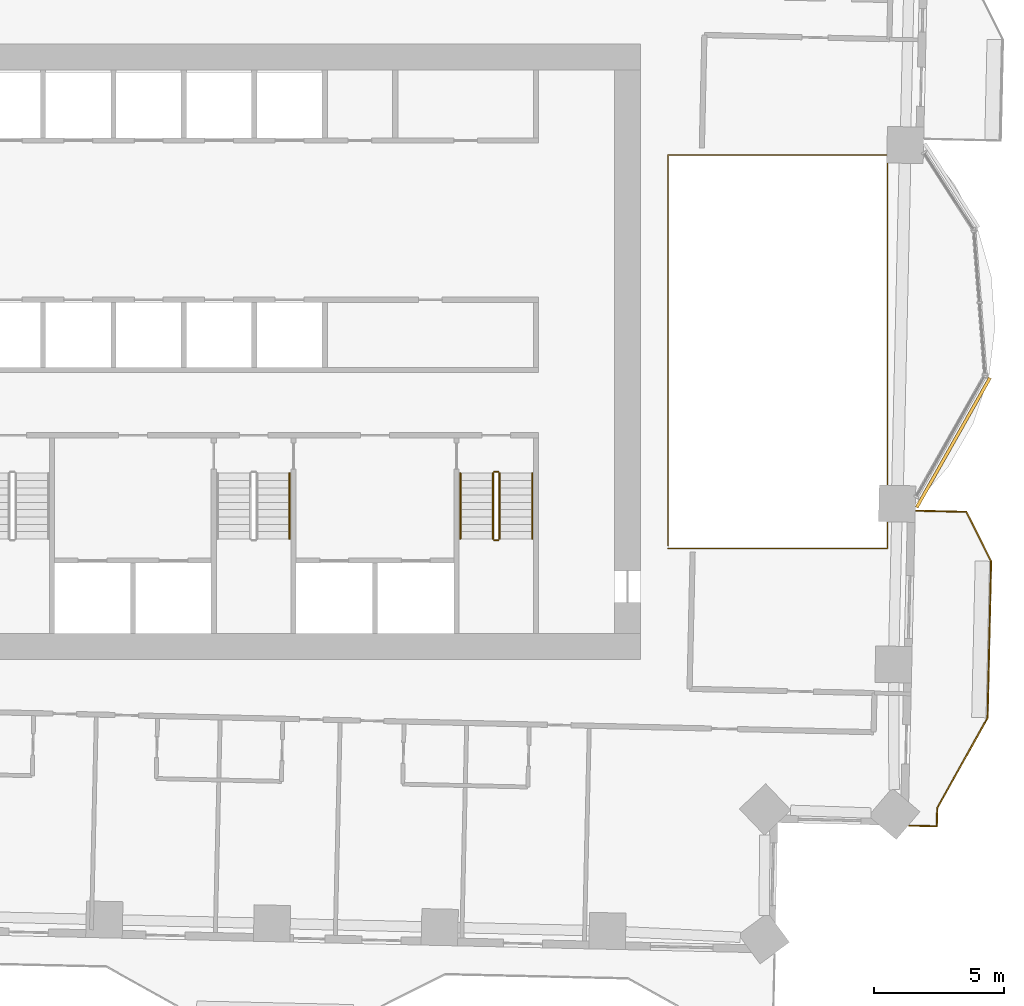
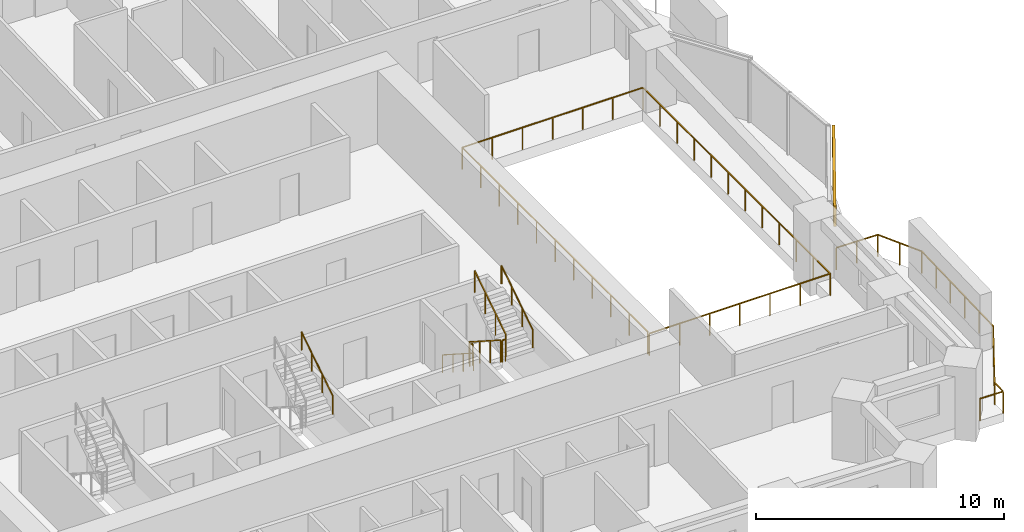
# One storey, part 15 of 16: 9 railings, 1 covering.
"""IFC4 building model written with IfcOpenShell, lengths in metres."""

from ifc_helpers import new_model, si_unit, direction, frame, frame_2d, origin, origin_2d, place, context, subcontext, project, spatial, rectangle, circle, extrude, material, layer, layer_set, type_object, element, save


model = new_model("IFC4")

# Units and contexts
model_context = context("Model", 3, precision=1e-05, world=origin(), true_north=direction((0.0, 1.0)))
body_context = subcontext(model_context, "Body", "Model", "MODEL_VIEW")
ifc_project = project(units=[si_unit("LENGTHUNIT", "METRE"), si_unit("AREAUNIT", "SQUARE_METRE"), si_unit("VOLUMEUNIT", "CUBIC_METRE"), si_unit("PLANEANGLEUNIT", "RADIAN"), si_unit("MASSUNIT", "GRAM", prefix="KILO")], contexts=[model_context])

# Site, building, storey
site_placement = place(None, origin())
site = spatial("IfcSite", under=ifc_project, at=site_placement, CompositionType="ELEMENT")
building_placement = place(site_placement, origin())
building = spatial("IfcBuilding", under=site, at=building_placement, Name="Mangrove Gate Tower", CompositionType="ELEMENT")
storey_placement = place(building_placement, frame((0.0, 0.0, 109.10009765625)))
storey = spatial("IfcBuildingStorey", under=building, at=storey_placement, Name="L27", CompositionType="ELEMENT", Elevation=109.10009765625)

# Railings
ifc_material_1 = material(Name="Stainless steel grade 316 with laminated glass infill", Category="steel")
railing_type_1 = type_object("IfcRailingType", Name="Balcony guard 1100", PredefinedType="GUARDRAIL", material=ifc_material_1)
railing_1_placement = place(storey_placement, frame((25.10107421875, -18.160888671875, 0.0)))
element("IfcRailing", 1, at=railing_1_placement, inside=storey, type_object=railing_type_1, Name="GUARD L27 E1", PredefinedType="GUARDRAIL", context=body_context, shape_type="SweptSolid", body=[
    extrude(rectangle(XDim=0.048095703125, YDim=0.048095703125, at=origin_2d()), frame((0.0, 0.0, 1.076171875), z_axis=(0.999740049023, -0.022799876723, 0.0), x_axis=(0.022799876723, 0.999740049023, 0.0)), (0.0, 0.0, 1.0), 1.06005859375),
    extrude(rectangle(XDim=0.048095703125, YDim=0.048095703125, at=origin_2d()), frame((1.059814453125, -0.024169921875, 1.076171875), z_axis=(0.023014481582, 0.999735131741, 0.0), x_axis=(-0.999735131741, 0.023014481582, 0.0)), (0.0, 0.0, 1.0), 0.7001953125),
    extrude(rectangle(XDim=0.048095703125, YDim=0.048095703125, at=origin_2d()), frame((1.075927734375, 0.67578125, 1.076171875), z_axis=(0.48726008209, 0.87325689943, 0.0), x_axis=(-0.87325689943, 0.48726008209, 0.0)), (0.0, 0.0, 1.0), 3.958740234375),
    extrude(rectangle(XDim=0.048095703125, YDim=0.048095703125, at=origin_2d()), frame((3.0048828125, 4.1328125, 1.076171875), z_axis=(0.022662255828, 0.999743178102, 0.0), x_axis=(-0.999743178102, 0.022662255828, 0.0)), (0.0, 0.0, 1.0), 6.00048828125),
    extrude(rectangle(XDim=0.048095703125, YDim=0.048095703125, at=origin_2d()), frame((3.140869140625, 10.1318359375, 1.076171875), z_axis=(-0.4472135955, 0.894427191, 0.0), x_axis=(-0.894427191, -0.4472135955, 0.0)), (0.0, 0.0, 1.0), 2.119873046875),
    extrude(rectangle(XDim=0.048095703125, YDim=0.048095703125, at=origin_2d()), frame((2.19287109375, 12.02783203125, 1.076171875), z_axis=(-0.999737880615, 0.022894760625, 0.0), x_axis=(-0.022894760625, -0.999737880615, 0.0)), (0.0, 0.0, 1.0), 1.91943359375),
    extrude(rectangle(XDim=0.0419921875, YDim=0.0419921875, at=origin_2d()), origin(), (0.0, 0.0, 1.0), 1.052001953125),
    extrude(rectangle(XDim=0.0419921875, YDim=0.0419921875, at=origin_2d()), frame((1.059814453125, -0.024169921875, 0.0)), (0.0, 0.0, 1.0), 1.052001953125),
    extrude(rectangle(XDim=0.0419921875, YDim=0.0419921875, at=origin_2d()), frame((1.075927734375, 0.67578125, 0.0)), (0.0, 0.0, 1.0), 1.052001953125),
    extrude(rectangle(XDim=0.0419921875, YDim=0.0419921875, at=origin_2d()), frame((1.718994140625, 1.828125, 0.0)), (0.0, 0.0, 1.0), 1.052001953125),
    extrude(rectangle(XDim=0.0419921875, YDim=0.0419921875, at=origin_2d()), frame((2.36181640625, 2.98046875, 0.0)), (0.0, 0.0, 1.0), 1.052001953125),
    extrude(rectangle(XDim=0.0419921875, YDim=0.0419921875, at=origin_2d()), frame((3.0048828125, 4.1328125, 0.0)), (0.0, 0.0, 1.0), 1.052001953125),
    extrude(rectangle(XDim=0.0419921875, YDim=0.0419921875, at=origin_2d()), frame((3.031982421875, 5.33251953125, 0.0)), (0.0, 0.0, 1.0), 1.052001953125),
    extrude(rectangle(XDim=0.0419921875, YDim=0.0419921875, at=origin_2d()), frame((3.059326171875, 6.532470703125, 0.0)), (0.0, 0.0, 1.0), 1.052001953125),
    extrude(rectangle(XDim=0.0419921875, YDim=0.0419921875, at=origin_2d()), frame((3.08642578125, 7.732177734375, 0.0)), (0.0, 0.0, 1.0), 1.052001953125),
    extrude(rectangle(XDim=0.0419921875, YDim=0.0419921875, at=origin_2d()), frame((3.11376953125, 8.93212890625, 0.0)), (0.0, 0.0, 1.0), 1.052001953125),
    extrude(rectangle(XDim=0.0419921875, YDim=0.0419921875, at=origin_2d()), frame((3.140869140625, 10.1318359375, 0.0)), (0.0, 0.0, 1.0), 1.052001953125),
    extrude(rectangle(XDim=0.0419921875, YDim=0.0419921875, at=origin_2d()), frame((2.6669921875, 11.079833984375, 0.0)), (0.0, 0.0, 1.0), 1.052001953125),
    extrude(rectangle(XDim=0.0419921875, YDim=0.0419921875, at=origin_2d()), frame((2.19287109375, 12.02783203125, 0.0)), (0.0, 0.0, 1.0), 1.052001953125),
    extrude(rectangle(XDim=0.0419921875, YDim=0.0419921875, at=origin_2d()), frame((1.2333984375, 12.0498046875, 0.0)), (0.0, 0.0, 1.0), 1.052001953125),
    extrude(rectangle(XDim=0.0419921875, YDim=0.0419921875, at=origin_2d()), frame((0.27392578125, 12.07177734375, 0.0)), (0.0, 0.0, 1.0), 1.052001953125),
])
railing_2_placement = place(storey_placement, frame((15.860107421875, -7.5400390625, 0.0)))
element("IfcRailing", 2, at=railing_2_placement, inside=storey, type_object=railing_type_1, Name="GUARD L27 atrium", PredefinedType="GUARDRAIL", context=body_context, shape_type="SweptSolid", body=[
    extrude(rectangle(XDim=0.048095703125, YDim=0.048095703125, at=origin_2d()), frame((0.0, 0.0, 1.076171875), z_axis=(1.0, 0.0, 0.0), x_axis=(0.0, 1.0, 0.0)), (0.0, 0.0, 1.0), 8.406982421875),
    extrude(rectangle(XDim=0.048095703125, YDim=0.048095703125, at=origin_2d()), frame((8.406982421875, 0.0, 1.076171875), z_axis=(0.0, 1.0, 0.0), x_axis=(-1.0, 0.0, 0.0)), (0.0, 0.0, 1.0), 15.080078125),
    extrude(rectangle(XDim=0.048095703125, YDim=0.048095703125, at=origin_2d()), frame((8.406982421875, 15.080078125, 1.076171875), z_axis=(-1.0, 0.0, 0.0), x_axis=(0.0, -1.0, 0.0)), (0.0, 0.0, 1.0), 8.406982421875),
    extrude(rectangle(XDim=0.048095703125, YDim=0.048095703125, at=origin_2d()), frame((0.0, 15.080078125, 1.076171875), z_axis=(0.0, -1.0, 0.0), x_axis=(1.0, 0.0, 0.0)), (0.0, 0.0, 1.0), 14.9599609375),
    extrude(rectangle(XDim=0.0419921875, YDim=0.0419921875, at=origin_2d()), origin(), (0.0, 0.0, 1.0), 1.052001953125),
    extrude(rectangle(XDim=0.0419921875, YDim=0.0419921875, at=origin_2d()), frame((1.401123046875, 0.0, 0.0)), (0.0, 0.0, 1.0), 1.052001953125),
    extrude(rectangle(XDim=0.0419921875, YDim=0.0419921875, at=origin_2d()), frame((2.80224609375, 0.0, 0.0)), (0.0, 0.0, 1.0), 1.052001953125),
    extrude(rectangle(XDim=0.0419921875, YDim=0.0419921875, at=origin_2d()), frame((4.20361328125, 0.0, 0.0)), (0.0, 0.0, 1.0), 1.052001953125),
    extrude(rectangle(XDim=0.0419921875, YDim=0.0419921875, at=origin_2d()), frame((5.604736328125, 0.0, 0.0)), (0.0, 0.0, 1.0), 1.052001953125),
    extrude(rectangle(XDim=0.0419921875, YDim=0.0419921875, at=origin_2d()), frame((7.005859375, 0.0, 0.0)), (0.0, 0.0, 1.0), 1.052001953125),
    extrude(rectangle(XDim=0.0419921875, YDim=0.0419921875, at=origin_2d()), frame((8.406982421875, 0.0, 0.0)), (0.0, 0.0, 1.0), 1.052001953125),
    extrude(rectangle(XDim=0.0419921875, YDim=0.0419921875, at=origin_2d()), frame((8.406982421875, 1.370849609375, 0.0)), (0.0, 0.0, 1.0), 1.052001953125),
    extrude(rectangle(XDim=0.0419921875, YDim=0.0419921875, at=origin_2d()), frame((8.406982421875, 2.741943359375, 0.0)), (0.0, 0.0, 1.0), 1.052001953125),
    extrude(rectangle(XDim=0.0419921875, YDim=0.0419921875, at=origin_2d()), frame((8.406982421875, 4.11279296875, 0.0)), (0.0, 0.0, 1.0), 1.052001953125),
    extrude(rectangle(XDim=0.0419921875, YDim=0.0419921875, at=origin_2d()), frame((8.406982421875, 5.483642578125, 0.0)), (0.0, 0.0, 1.0), 1.052001953125),
    extrude(rectangle(XDim=0.0419921875, YDim=0.0419921875, at=origin_2d()), frame((8.406982421875, 6.8544921875, 0.0)), (0.0, 0.0, 1.0), 1.052001953125),
    extrude(rectangle(XDim=0.0419921875, YDim=0.0419921875, at=origin_2d()), frame((8.406982421875, 8.2255859375, 0.0)), (0.0, 0.0, 1.0), 1.052001953125),
    extrude(rectangle(XDim=0.0419921875, YDim=0.0419921875, at=origin_2d()), frame((8.406982421875, 9.596435546875, 0.0)), (0.0, 0.0, 1.0), 1.052001953125),
    extrude(rectangle(XDim=0.0419921875, YDim=0.0419921875, at=origin_2d()), frame((8.406982421875, 10.96728515625, 0.0)), (0.0, 0.0, 1.0), 1.052001953125),
    extrude(rectangle(XDim=0.0419921875, YDim=0.0419921875, at=origin_2d()), frame((8.406982421875, 12.338134765625, 0.0)), (0.0, 0.0, 1.0), 1.052001953125),
    extrude(rectangle(XDim=0.0419921875, YDim=0.0419921875, at=origin_2d()), frame((8.406982421875, 13.709228515625, 0.0)), (0.0, 0.0, 1.0), 1.052001953125),
    extrude(rectangle(XDim=0.0419921875, YDim=0.0419921875, at=origin_2d()), frame((8.406982421875, 15.080078125, 0.0)), (0.0, 0.0, 1.0), 1.052001953125),
    extrude(rectangle(XDim=0.0419921875, YDim=0.0419921875, at=origin_2d()), frame((7.005859375, 15.080078125, 0.0)), (0.0, 0.0, 1.0), 1.052001953125),
    extrude(rectangle(XDim=0.0419921875, YDim=0.0419921875, at=origin_2d()), frame((5.604736328125, 15.080078125, 0.0)), (0.0, 0.0, 1.0), 1.052001953125),
    extrude(rectangle(XDim=0.0419921875, YDim=0.0419921875, at=origin_2d()), frame((4.20361328125, 15.080078125, 0.0)), (0.0, 0.0, 1.0), 1.052001953125),
    extrude(rectangle(XDim=0.0419921875, YDim=0.0419921875, at=origin_2d()), frame((2.80224609375, 15.080078125, 0.0)), (0.0, 0.0, 1.0), 1.052001953125),
    extrude(rectangle(XDim=0.0419921875, YDim=0.0419921875, at=origin_2d()), frame((1.401123046875, 15.080078125, 0.0)), (0.0, 0.0, 1.0), 1.052001953125),
    extrude(rectangle(XDim=0.0419921875, YDim=0.0419921875, at=origin_2d()), frame((0.0, 15.080078125, 0.0)), (0.0, 0.0, 1.0), 1.052001953125),
    extrude(rectangle(XDim=0.0419921875, YDim=0.0419921875, at=origin_2d()), frame((0.0, 13.583984375, 0.0)), (0.0, 0.0, 1.0), 1.052001953125),
    extrude(rectangle(XDim=0.0419921875, YDim=0.0419921875, at=origin_2d()), frame((0.0, 12.088134765625, 0.0)), (0.0, 0.0, 1.0), 1.052001953125),
    extrude(rectangle(XDim=0.0419921875, YDim=0.0419921875, at=origin_2d()), frame((0.0, 10.592041015625, 0.0)), (0.0, 0.0, 1.0), 1.052001953125),
    extrude(rectangle(XDim=0.0419921875, YDim=0.0419921875, at=origin_2d()), frame((0.0, 9.09619140625, 0.0)), (0.0, 0.0, 1.0), 1.052001953125),
    extrude(rectangle(XDim=0.0419921875, YDim=0.0419921875, at=origin_2d()), frame((0.0, 7.60009765625, 0.0)), (0.0, 0.0, 1.0), 1.052001953125),
    extrude(rectangle(XDim=0.0419921875, YDim=0.0419921875, at=origin_2d()), frame((0.0, 6.10400390625, 0.0)), (0.0, 0.0, 1.0), 1.052001953125),
    extrude(rectangle(XDim=0.0419921875, YDim=0.0419921875, at=origin_2d()), frame((0.0, 4.608154296875, 0.0)), (0.0, 0.0, 1.0), 1.052001953125),
    extrude(rectangle(XDim=0.0419921875, YDim=0.0419921875, at=origin_2d()), frame((0.0, 3.112060546875, 0.0)), (0.0, 0.0, 1.0), 1.052001953125),
    extrude(rectangle(XDim=0.0419921875, YDim=0.0419921875, at=origin_2d()), frame((0.0, 1.6162109375, 0.0)), (0.0, 0.0, 1.0), 1.052001953125),
    extrude(rectangle(XDim=0.0419921875, YDim=0.0419921875, at=origin_2d()), frame((0.0, 0.1201171875, 0.0)), (0.0, 0.0, 1.0), 1.052001953125),
])
ifc_material_2 = material(Name="Stainless steel 316", Category="steel")
railing_type_2 = type_object("IfcRailingType", Name="Core stair guard 1100", PredefinedType="GUARDRAIL", material=ifc_material_2)
railing_3_placement = place(storey_placement, frame((9.14990234375, -4.64990234375, 0.179931640625)))
element("IfcRailing", 3, at=railing_3_placement, inside=storey, type_object=railing_type_2, Name="L27 ST3 stair guard 1", PredefinedType="GUARDRAIL", context=body_context, shape_type="SweptSolid", body=[
    extrude(rectangle(XDim=0.048095703125, YDim=0.048095703125, at=origin_2d()), frame((0.0, 0.0, 1.076171875), z_axis=(0.0, -0.841199657755, 0.540724639528), x_axis=(1.0, 0.0, 0.0)), (0.0, 0.0, 1.0), 2.995849609375),
    extrude(rectangle(XDim=0.0419921875, YDim=0.0419921875, at=origin_2d()), origin(), (0.0, 0.0, 1.0), 1.052001953125),
    extrude(rectangle(XDim=0.0419921875, YDim=0.0419921875, at=origin_2d()), frame((0.0, -0.840087890625, 0.5400390625)), (0.0, 0.0, 1.0), 1.052001953125),
    extrude(rectangle(XDim=0.0419921875, YDim=0.0419921875, at=origin_2d()), frame((0.0, -1.679931640625, 1.079833984375)), (0.0, 0.0, 1.0), 1.052001953125),
    extrude(rectangle(XDim=0.0419921875, YDim=0.0419921875, at=origin_2d()), frame((0.0, -2.52001953125, 1.619873046875)), (0.0, 0.0, 1.0), 1.052001953125),
])
railing_4_placement = place(storey_placement, frame((9.199951171875, -7.219970703125, 1.7998046875)))
element("IfcRailing", 4, at=railing_4_placement, inside=storey, type_object=railing_type_2, Name="L27 ST3 stair guard 2", PredefinedType="GUARDRAIL", context=body_context, shape_type="SweptSolid", body=[
    extrude(rectangle(XDim=0.048095703125, YDim=0.048095703125, at=origin_2d()), frame((0.0, 0.0, 1.076171875), z_axis=(1.0, 0.0, 0.0), x_axis=(0.0, 1.0, 0.0)), (0.0, 0.0, 1.0), 0.150146484375),
    extrude(rectangle(XDim=0.0419921875, YDim=0.0419921875, at=origin_2d()), origin(), (0.0, 0.0, 1.0), 1.052001953125),
    extrude(rectangle(XDim=0.0419921875, YDim=0.0419921875, at=origin_2d()), frame((0.150146484375, 0.0, 0.0)), (0.0, 0.0, 1.0), 1.052001953125),
])
railing_5_placement = place(storey_placement, frame((9.39990234375, -7.169921875, 1.97998046875)))
element("IfcRailing", 5, at=railing_5_placement, inside=storey, type_object=railing_type_2, Name="L27 ST3 stair guard 3", PredefinedType="GUARDRAIL", context=body_context, shape_type="SweptSolid", body=[
    extrude(rectangle(XDim=0.048095703125, YDim=0.048095703125, at=origin_2d()), frame((0.0, 0.0, 1.076171875), z_axis=(0.0, 0.841199657755, 0.540724639528), x_axis=(-1.0, 0.0, 0.0)), (0.0, 0.0, 1.0), 2.995849609375),
    extrude(rectangle(XDim=0.0419921875, YDim=0.0419921875, at=origin_2d()), origin(), (0.0, 0.0, 1.0), 1.052001953125),
    extrude(rectangle(XDim=0.0419921875, YDim=0.0419921875, at=origin_2d()), frame((0.0, 0.840087890625, 0.5400390625)), (0.0, 0.0, 1.0), 1.052001953125),
    extrude(rectangle(XDim=0.0419921875, YDim=0.0419921875, at=origin_2d()), frame((0.0, 1.679931640625, 1.079833984375)), (0.0, 0.0, 1.0), 1.052001953125),
    extrude(rectangle(XDim=0.0419921875, YDim=0.0419921875, at=origin_2d()), frame((0.0, 2.52001953125, 1.619873046875)), (0.0, 0.0, 1.0), 1.052001953125),
])
railing_6_placement = place(storey_placement, frame((9.199951171875, -4.60009765625, 0.0)))
element("IfcRailing", 6, at=railing_6_placement, inside=storey, type_object=railing_type_2, Name="L27 ST3 stair guard 4", PredefinedType="GUARDRAIL", context=body_context, shape_type="SweptSolid", body=[
    extrude(rectangle(XDim=0.048095703125, YDim=0.048095703125, at=origin_2d()), frame((0.0, 0.0, 1.076171875), z_axis=(1.0, 0.0, 0.0), x_axis=(0.0, 1.0, 0.0)), (0.0, 0.0, 1.0), 0.150146484375),
    extrude(rectangle(XDim=0.0419921875, YDim=0.0419921875, at=origin_2d()), origin(), (0.0, 0.0, 1.0), 1.052001953125),
    extrude(rectangle(XDim=0.0419921875, YDim=0.0419921875, at=origin_2d()), frame((0.150146484375, 0.0, 0.0)), (0.0, 0.0, 1.0), 1.052001953125),
])
ifc_material_3 = material(Name="Stainless steel 316", Category="steel")
railing_type_3 = type_object("IfcRailingType", Name="Core stair handrail 900", PredefinedType="HANDRAIL", material=ifc_material_3)
railing_7_placement = place(storey_placement, frame((1.35009765625, -7.169921875, 1.97998046875)))
element("IfcRailing", 7, at=railing_7_placement, inside=storey, type_object=railing_type_3, Name="L27 ST2 stair handrail 2", PredefinedType="HANDRAIL", context=body_context, shape_type="SweptSolid", body=[
    extrude(circle(Radius=0.02392578125, at=origin_2d()), frame((0.0, 0.0, 0.8759765625), z_axis=(0.0, 0.841199657755, 0.540724639528), x_axis=(-1.0, 0.0, 0.0)), (0.0, 0.0, 1.0), 2.995849609375),
    extrude(circle(Radius=0.02099609375, at=origin_2d()), origin(), (0.0, 0.0, 1.0), 0.851806640625),
    extrude(circle(Radius=0.02099609375, at=origin_2d()), frame((0.0, 0.840087890625, 0.5400390625)), (0.0, 0.0, 1.0), 0.851806640625),
    extrude(circle(Radius=0.02099609375, at=origin_2d()), frame((0.0, 1.679931640625, 1.079833984375)), (0.0, 0.0, 1.0), 0.851806640625),
    extrude(circle(Radius=0.02099609375, at=origin_2d()), frame((0.0, 2.52001953125, 1.619873046875)), (0.0, 0.0, 1.0), 0.851806640625),
])
railing_8_placement = place(storey_placement, frame((7.89990234375, -4.64990234375, 0.179931640625)))
element("IfcRailing", 8, at=railing_8_placement, inside=storey, type_object=railing_type_3, Name="L27 ST3 stair handrail 1", PredefinedType="HANDRAIL", context=body_context, shape_type="SweptSolid", body=[
    extrude(circle(Radius=0.02392578125, at=origin_2d()), frame((0.0, 0.0, 0.8759765625), z_axis=(0.0, -0.841199657755, 0.540724639528), x_axis=(1.0, 0.0, 0.0)), (0.0, 0.0, 1.0), 2.995849609375),
    extrude(circle(Radius=0.02099609375, at=origin_2d()), origin(), (0.0, 0.0, 1.0), 0.851806640625),
    extrude(circle(Radius=0.02099609375, at=origin_2d()), frame((0.0, -0.840087890625, 0.5400390625)), (0.0, 0.0, 1.0), 0.851806640625),
    extrude(circle(Radius=0.02099609375, at=origin_2d()), frame((0.0, -1.679931640625, 1.079833984375)), (0.0, 0.0, 1.0), 0.851806640625),
    extrude(circle(Radius=0.02099609375, at=origin_2d()), frame((0.0, -2.52001953125, 1.619873046875)), (0.0, 0.0, 1.0), 0.851806640625),
])
railing_9_placement = place(storey_placement, frame((10.64990234375, -7.169921875, 1.97998046875)))
element("IfcRailing", 9, at=railing_9_placement, inside=storey, type_object=railing_type_3, Name="L27 ST3 stair handrail 2", PredefinedType="HANDRAIL", context=body_context, shape_type="SweptSolid", body=[
    extrude(circle(Radius=0.02392578125, at=origin_2d()), frame((0.0, 0.0, 0.8759765625), z_axis=(0.0, 0.841199657755, 0.540724639528), x_axis=(-1.0, 0.0, 0.0)), (0.0, 0.0, 1.0), 2.995849609375),
    extrude(circle(Radius=0.02099609375, at=origin_2d()), origin(), (0.0, 0.0, 1.0), 0.851806640625),
    extrude(circle(Radius=0.02099609375, at=origin_2d()), frame((0.0, 0.840087890625, 0.5400390625)), (0.0, 0.0, 1.0), 0.851806640625),
    extrude(circle(Radius=0.02099609375, at=origin_2d()), frame((0.0, 1.679931640625, 1.079833984375)), (0.0, 0.0, 1.0), 0.851806640625),
    extrude(circle(Radius=0.02099609375, at=origin_2d()), frame((0.0, 2.52001953125, 1.619873046875)), (0.0, 0.0, 1.0), 0.851806640625),
])

# Covering
ifc_material_4 = material(Name="Limestone", Category="masonry")
ifc_layer_1 = layer(ifc_material_4, 0.0400390625, Name="Limestone cladding")
ifc_material_5 = material(Name="Stainless steel anchors and cavity", Category="steel")
ifc_layer_2 = layer(ifc_material_5, 0.080078125, Name="Fixing cavity")
ifc_layer_set = layer_set([ifc_layer_1, ifc_layer_2], Name="Joint fascia cladding 120")
covering_type = type_object("IfcCoveringType", Name="Joint fascia cladding 120", PredefinedType="CLADDING", material=ifc_layer_set)
covering_placement = place(storey_placement, frame((25.38818359375, -5.96484375, 2.0498046875), z_axis=(0.0, 0.0, 1.0), x_axis=(0.492461862622, 0.870334024305, 0.0)))
element("IfcCovering", 10, at=covering_placement, inside=storey, type_object=covering_type, Name="STONE FASCIA L27 E1.L1", PredefinedType="CLADDING", context=body_context, shape_type="SweptSolid", body=[
    extrude(rectangle(XDim=5.70556640625, YDim=0.1201171875, at=frame_2d((2.852783203125, 0.0))), origin(), (0.0, 0.0, 1.0), 1.0),
])

save(model, "model.ifc")
